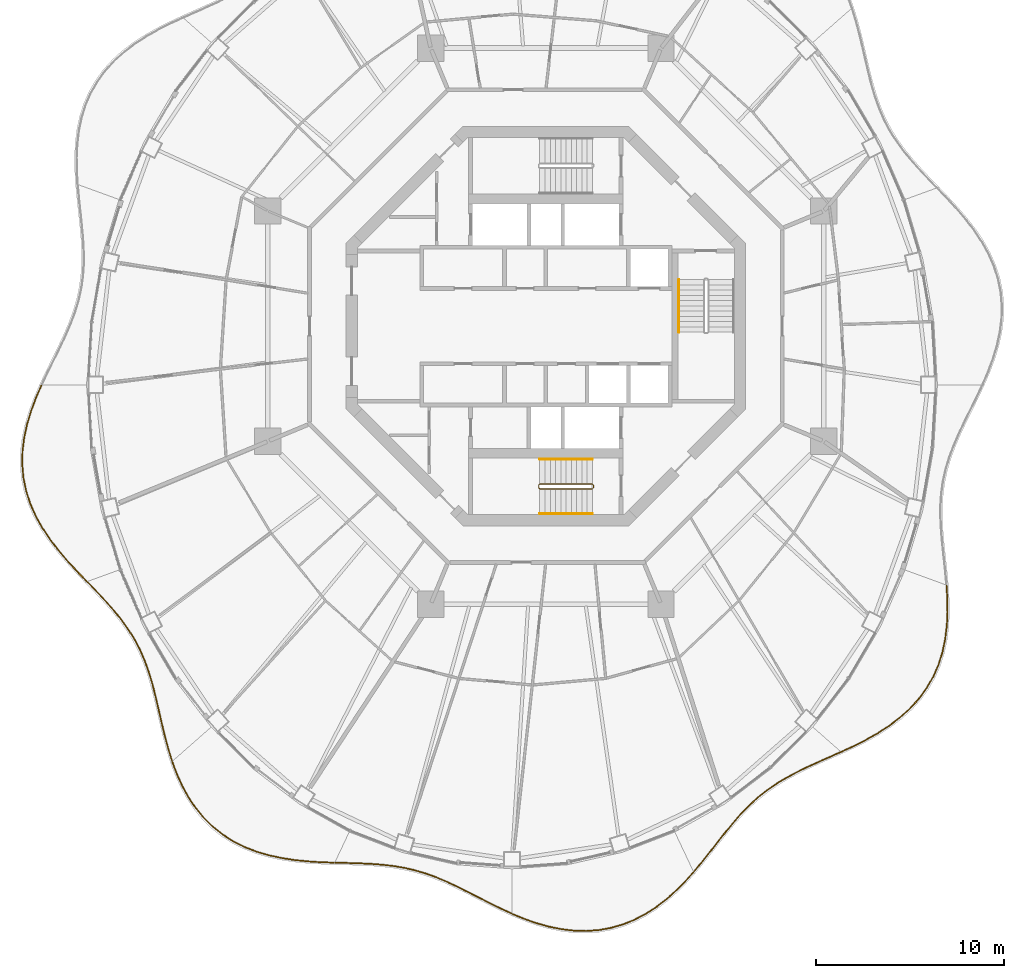
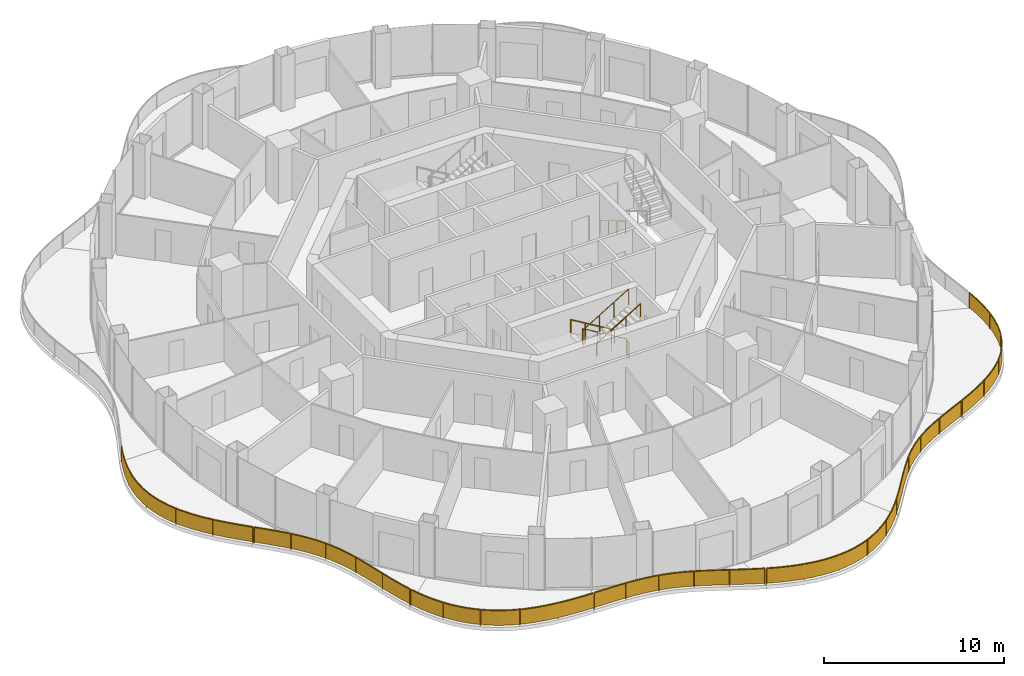
# One storey, part 15 of 17: 11 railings.
"""IFC4 building model written with IfcOpenShell, lengths in metres."""

from ifc_helpers import new_model, si_unit, direction, frame, origin, origin_2d, place, context, subcontext, project, spatial, polyline, rectangle, circle, outline, extrude, material, type_object, element, save


model = new_model("IFC4")

# Units and contexts
model_context = context("Model", 3, precision=1e-05, world=origin(), true_north=direction((0.0, 1.0)))
body_context = subcontext(model_context, "Body", "Model", "MODEL_VIEW")
ifc_project = project(units=[si_unit("LENGTHUNIT", "METRE"), si_unit("AREAUNIT", "SQUARE_METRE"), si_unit("VOLUMEUNIT", "CUBIC_METRE"), si_unit("PLANEANGLEUNIT", "RADIAN"), si_unit("MASSUNIT", "GRAM", prefix="KILO")], contexts=[model_context])

# Site, building, storey
site_placement = place(None, origin())
site = spatial("IfcSite", under=ifc_project, at=site_placement, CompositionType="ELEMENT")
building_placement = place(site_placement, origin())
building = spatial("IfcBuilding", under=site, at=building_placement, Name="Nagisa Residences", CompositionType="ELEMENT")
storey_placement = place(building_placement, frame((0.0, 0.0, 280.699951171875)))
storey = spatial("IfcBuildingStorey", under=building, at=storey_placement, Name="L71", CompositionType="ELEMENT", Elevation=280.699951171875)

# Railings
ifc_material_1 = material(Name="Stainless steel 316", Category="steel")
railing_type_1 = type_object("IfcRailingType", Name="BALCONY GUARD 1100", PredefinedType="BALUSTRADE", material=ifc_material_1)
railing_1_placement = place(storey_placement, frame((-26.82275390625, -3.152587890625, 0.0)))
element("IfcRailing", 1, at=railing_1_placement, inside=storey, type_object=railing_type_1, Name="guard:L71:bal08-0", PredefinedType="BALUSTRADE", context=body_context, shape_type="SweptSolid", body=[
    extrude(outline(polyline([(-0.2578125, -0.65576171875), (0.02294921875, -0.010009765625), (-0.02294921875, 0.010009765625), (-0.30419921875, -0.63720703125), (-0.566650390625, -1.3388671875), (-0.78173828125, -2.05029296875), (-0.938232421875, -2.7685546875), (-1.02734375, -3.489501953125), (-1.043701171875, -4.1943359375), (-0.980224609375, -4.90625), (-0.83740234375, -5.6064453125), (-0.6171875, -6.290771484375), (-0.32470703125, -6.95556640625), (0.030029296875, -7.58447265625), (0.443359375, -8.203125), (0.900634765625, -8.798095703125), (1.3896484375, -9.370361328125), (1.89697265625, -9.92236328125), (2.38037109375, -10.424560546875), (2.41650390625, -10.389892578125), (1.93359375, -9.88818359375), (1.42724609375, -9.337158203125), (0.939697265625, -8.766357421875), (0.48388671875, -8.173828125), (0.072509765625, -7.55810546875), (-0.27978515625, -6.93310546875), (-0.5703125, -6.273193359375), (-0.7890625, -5.59375), (-0.930419921875, -4.89892578125), (-0.993408203125, -4.19287109375), (-0.9775390625, -3.492919921875), (-0.888916015625, -2.77685546875), (-0.7333984375, -2.06298828125), (-0.519287109375, -1.35498046875), (-0.2578125, -0.65576171875)])), frame((0.0, 0.0, 1.050048828125)), (0.0, 0.0, 1.0), 0.050048828125),
    extrude(outline(polyline([(-0.2744140625, -0.649169921875), (0.00634765625, -0.002685546875), (-0.00634765625, 0.002685546875), (-0.28759765625, -0.643798828125), (-0.549560546875, -1.3447265625), (-0.764404296875, -2.054931640625), (-0.92041015625, -2.771484375), (-1.009521484375, -3.49072265625), (-1.025634765625, -4.19384765625), (-0.962158203125, -4.903564453125), (-0.820068359375, -5.601806640625), (-0.600341796875, -6.284423828125), (-0.30859375, -6.947509765625), (0.04541015625, -7.574951171875), (0.4580078125, -8.192626953125), (0.914794921875, -8.78662109375), (1.4033203125, -9.3583984375), (1.91015625, -9.91015625), (2.393310546875, -10.412109375), (2.403564453125, -10.40234375), (1.92041015625, -9.900390625), (1.41357421875, -9.34912109375), (0.925537109375, -8.77783203125), (0.46923828125, -8.184326171875), (0.05712890625, -7.567626953125), (-0.2958984375, -6.941162109375), (-0.587158203125, -6.279541015625), (-0.806396484375, -5.598388671875), (-0.948486328125, -4.901611328125), (-1.011474609375, -4.193359375), (-0.995361328125, -3.49169921875), (-0.90673828125, -2.77392578125), (-0.750732421875, -2.058349609375), (-0.536376953125, -1.34912109375), (-0.2744140625, -0.649169921875)])), frame((0.0, 0.0, 0.06005859375)), (0.0, 0.0, 1.0), 0.989990234375),
    extrude(rectangle(XDim=0.0400390625, YDim=0.0400390625, at=origin_2d()), origin(), (0.0, 0.0, 1.0), 1.050048828125),
    extrude(rectangle(XDim=0.0400390625, YDim=0.0400390625, at=origin_2d()), frame((-0.785400390625, -2.1845703125, 0.0)), (0.0, 0.0, 1.0), 1.050048828125),
    extrude(rectangle(XDim=0.0400390625, YDim=0.0400390625, at=origin_2d()), frame((-0.9921875, -4.489013671875, 0.0)), (0.0, 0.0, 1.0), 1.050048828125),
    extrude(rectangle(XDim=0.0400390625, YDim=0.0400390625, at=origin_2d()), frame((-0.399658203125, -6.722900390625, 0.0)), (0.0, 0.0, 1.0), 1.050048828125),
    extrude(rectangle(XDim=0.0400390625, YDim=0.0400390625, at=origin_2d()), frame((0.84228515625, -8.680908203125, 0.0)), (0.0, 0.0, 1.0), 1.050048828125),
    extrude(rectangle(XDim=0.0400390625, YDim=0.0400390625, at=origin_2d()), frame((2.3984375, -10.4072265625, 0.0)), (0.0, 0.0, 1.0), 1.050048828125),
])
railing_2_placement = place(storey_placement, frame((-24.37060546875, -13.61328125, 0.0)))
element("IfcRailing", 2, at=railing_2_placement, inside=storey, type_object=railing_type_1, Name="guard:L71:bal09-0", PredefinedType="BALUSTRADE", context=body_context, shape_type="SweptSolid", body=[
    extrude(outline(polyline([(0.47802734375, -0.457275390625), (0.01806640625, 0.017333984375), (-0.01806640625, -0.017333984375), (0.44189453125, -0.491943359375), (0.913818359375, -0.993896484375), (1.359375, -1.495849609375), (1.771240234375, -2.0029296875), (2.144775390625, -2.521240234375), (2.470703125, -3.042236328125), (2.76220703125, -3.596923828125), (3.014892578125, -4.17529296875), (3.233154296875, -4.779296875), (3.42333984375, -5.409423828125), (3.585205078125, -6.05224609375), (3.744873046875, -6.729248046875), (3.904052734375, -7.423583984375), (4.073486328125, -8.129150390625), (4.2626953125, -8.838134765625), (4.466552734375, -9.498779296875), (4.514404296875, -9.484130859375), (4.31103515625, -8.824462890625), (4.121826171875, -8.116943359375), (3.952880859375, -7.412353515625), (3.793701171875, -6.718017578125), (3.634033203125, -6.04052734375), (3.4716796875, -5.396240234375), (3.280517578125, -4.763671875), (3.061279296875, -4.15673828125), (2.80712890625, -3.575439453125), (2.51416015625, -3.017333984375), (2.186279296875, -2.493408203125), (1.810791015625, -1.97265625), (1.3974609375, -1.463623046875), (0.950927734375, -0.960205078125), (0.47802734375, -0.457275390625)])), frame((0.0, 0.0, 1.050048828125)), (0.0, 0.0, 1.0), 0.050048828125),
    extrude(outline(polyline([(0.465087890625, -0.4697265625), (0.005126953125, 0.0048828125), (-0.005126953125, -0.0048828125), (0.454833984375, -0.4794921875), (0.92724609375, -0.981689453125), (1.373046875, -1.484375), (1.785400390625, -1.991943359375), (2.15966796875, -2.51123046875), (2.486328125, -3.033203125), (2.7783203125, -3.589111328125), (3.031494140625, -4.168701171875), (3.250244140625, -4.773681640625), (3.440673828125, -5.40478515625), (3.602783203125, -6.048095703125), (3.762451171875, -6.72509765625), (3.921630859375, -7.419677734375), (4.0908203125, -8.124755859375), (4.280029296875, -8.833251953125), (4.48388671875, -9.493408203125), (4.4970703125, -9.489501953125), (4.293701171875, -8.829345703125), (4.1044921875, -8.121337890625), (3.935302734375, -7.416259765625), (3.776123046875, -6.72216796875), (3.616455078125, -6.044677734375), (3.454345703125, -5.40087890625), (3.263427734375, -4.769287109375), (3.044677734375, -4.163330078125), (2.791015625, -3.583251953125), (2.49853515625, -3.0263671875), (2.17138671875, -2.50341796875), (1.796630859375, -1.983642578125), (1.3837890625, -1.47509765625), (0.9375, -0.972412109375), (0.465087890625, -0.4697265625)])), frame((0.0, 0.0, 0.06005859375)), (0.0, 0.0, 1.0), 0.989990234375),
    extrude(rectangle(XDim=0.0400390625, YDim=0.0400390625, at=origin_2d()), origin(), (0.0, 0.0, 1.0), 1.050048828125),
    extrude(rectangle(XDim=0.0400390625, YDim=0.0400390625, at=origin_2d()), frame((1.454833984375, -1.57373046875, 0.0)), (0.0, 0.0, 1.0), 1.050048828125),
    extrude(rectangle(XDim=0.0400390625, YDim=0.0400390625, at=origin_2d()), frame((2.656982421875, -3.343017578125, 0.0)), (0.0, 0.0, 1.0), 1.050048828125),
    extrude(rectangle(XDim=0.0400390625, YDim=0.0400390625, at=origin_2d()), frame((3.42822265625, -5.3388671875, 0.0)), (0.0, 0.0, 1.0), 1.050048828125),
    extrude(rectangle(XDim=0.0400390625, YDim=0.0400390625, at=origin_2d()), frame((3.9296875, -7.423095703125, 0.0)), (0.0, 0.0, 1.0), 1.050048828125),
    extrude(rectangle(XDim=0.0400390625, YDim=0.0400390625, at=origin_2d()), frame((4.490478515625, -9.491455078125, 0.0)), (0.0, 0.0, 1.0), 1.050048828125),
])
railing_3_placement = place(storey_placement, frame((-19.856201171875, -23.177978515625, 0.0)))
element("IfcRailing", 3, at=railing_3_placement, inside=storey, type_object=railing_type_1, Name="guard:L71:bal10-0", PredefinedType="BALUSTRADE", context=body_context, shape_type="SweptSolid", body=[
    extrude(outline(polyline([(0.24951171875, -0.60546875), (0.0234375, 0.008544921875), (-0.0234375, -0.008544921875), (0.203125, -0.62451171875), (0.489990234375, -1.261962890625), (0.82275390625, -1.8701171875), (1.205078125, -2.441650390625), (1.6376953125, -2.9697265625), (2.108642578125, -3.437744140625), (2.6396484375, -3.8623046875), (3.21484375, -4.230224609375), (3.829345703125, -4.54052734375), (4.4765625, -4.793701171875), (5.137939453125, -4.98486328125), (5.827880859375, -5.133544921875), (6.53076171875, -5.23974609375), (7.23779296875, -5.310302734375), (7.942138671875, -5.353759765625), (8.5927734375, -5.375244140625), (8.59423828125, -5.325439453125), (7.944580078125, -5.303955078125), (7.24169921875, -5.260498046875), (6.537109375, -5.18994140625), (5.836669921875, -5.084228515625), (5.150146484375, -4.9365234375), (4.49267578125, -4.746337890625), (3.849853515625, -4.49462890625), (3.23974609375, -4.186767578125), (2.6689453125, -3.82177734375), (2.141845703125, -3.400146484375), (1.6748046875, -2.93603515625), (1.2451171875, -2.411865234375), (0.86572265625, -1.84423828125), (0.534912109375, -1.239501953125), (0.24951171875, -0.60546875)])), frame((0.0, 0.0, 1.050048828125)), (0.0, 0.0, 1.0), 0.050048828125),
    extrude(outline(polyline([(0.23291015625, -0.6123046875), (0.006591796875, 0.00244140625), (-0.006591796875, -0.00244140625), (0.2197265625, -0.61767578125), (0.506103515625, -1.25390625), (0.838134765625, -1.86083984375), (1.219482421875, -2.430908203125), (1.651123046875, -2.95751953125), (2.12060546875, -3.424072265625), (2.650146484375, -3.84765625), (3.223876953125, -4.214599609375), (3.836669921875, -4.52392578125), (4.482421875, -4.776611328125), (5.142333984375, -4.967529296875), (5.8310546875, -5.11572265625), (6.532958984375, -5.2216796875), (7.2392578125, -5.29248046875), (7.943115234375, -5.3359375), (8.59326171875, -5.357421875), (8.59375, -5.34326171875), (7.943603515625, -5.32177734375), (7.240234375, -5.2783203125), (6.534912109375, -5.2080078125), (5.83349609375, -5.10205078125), (5.145751953125, -4.953857421875), (4.48681640625, -4.763427734375), (3.842529296875, -4.51123046875), (3.230712890625, -4.202392578125), (2.658447265625, -3.83642578125), (2.1298828125, -3.413818359375), (1.661376953125, -2.9482421875), (1.230712890625, -2.422607421875), (0.850341796875, -1.853515625), (0.518798828125, -1.24755859375), (0.23291015625, -0.6123046875)])), frame((0.0, 0.0, 0.06005859375)), (0.0, 0.0, 1.0), 0.989990234375),
    extrude(rectangle(XDim=0.0400390625, YDim=0.0400390625, at=origin_2d()), origin(), (0.0, 0.0, 1.0), 1.050048828125),
    extrude(rectangle(XDim=0.0400390625, YDim=0.0400390625, at=origin_2d()), frame((0.927978515625, -1.982177734375, 0.0)), (0.0, 0.0, 1.0), 1.050048828125),
    extrude(rectangle(XDim=0.0400390625, YDim=0.0400390625, at=origin_2d()), frame((2.373779296875, -3.61767578125, 0.0)), (0.0, 0.0, 1.0), 1.050048828125),
    extrude(rectangle(XDim=0.0400390625, YDim=0.0400390625, at=origin_2d()), frame((4.2763671875, -4.6884765625, 0.0)), (0.0, 0.0, 1.0), 1.050048828125),
    extrude(rectangle(XDim=0.0400390625, YDim=0.0400390625, at=origin_2d()), frame((6.406005859375, -5.195556640625, 0.0)), (0.0, 0.0, 1.0), 1.050048828125),
    extrude(rectangle(XDim=0.0400390625, YDim=0.0400390625, at=origin_2d()), frame((8.593505859375, -5.350341796875, 0.0)), (0.0, 0.0, 1.0), 1.050048828125),
])
railing_4_placement = place(storey_placement, frame((-11.18701171875, -28.52880859375, 0.0)))
element("IfcRailing", 4, at=railing_4_placement, inside=storey, type_object=railing_type_1, Name="guard:L71:bal11-0", PredefinedType="BALUSTRADE", context=body_context, shape_type="SweptSolid", body=[
    extrude(outline(polyline([(0.61376953125, 0.0107421875), (0.00048828125, 0.02490234375), (-0.00048828125, -0.02490234375), (0.6123046875, -0.0390625), (1.256103515625, -0.05810546875), (1.88330078125, -0.087158203125), (2.4931640625, -0.13330078125), (3.0869140625, -0.203369140625), (3.64892578125, -0.297119140625), (4.2158203125, -0.427978515625), (4.774169921875, -0.5927734375), (5.328369140625, -0.79150390625), (5.882080078125, -1.021728515625), (6.422607421875, -1.277099609375), (6.98876953125, -1.5576171875), (7.565673828125, -1.8525390625), (8.15673828125, -2.154296875), (8.763427734375, -2.452880859375), (9.341796875, -2.7216796875), (9.36279296875, -2.67626953125), (8.784912109375, -2.407958984375), (8.17919921875, -2.109375), (7.588623046875, -1.80810546875), (7.01123046875, -1.5126953125), (6.444580078125, -1.232177734375), (5.902587890625, -0.975830078125), (5.346435546875, -0.74462890625), (4.789794921875, -0.54541015625), (4.228515625, -0.379638671875), (3.65869140625, -0.247802734375), (3.09375, -0.153564453125), (2.498046875, -0.08349609375), (1.88623046875, -0.037353515625), (1.258056640625, -0.00830078125), (0.61376953125, 0.0107421875)])), frame((0.0, 0.0, 1.050048828125)), (0.0, 0.0, 1.0), 0.050048828125),
    extrude(outline(polyline([(0.61328125, -0.007080078125), (0.000244140625, 0.007080078125), (-0.000244140625, -0.007080078125), (0.61279296875, -0.021240234375), (1.2568359375, -0.040283203125), (1.88427734375, -0.0693359375), (2.494873046875, -0.115478515625), (3.08935546875, -0.185302734375), (3.65234375, -0.279296875), (4.220458984375, -0.41064453125), (4.77978515625, -0.57568359375), (5.3349609375, -0.774658203125), (5.889404296875, -1.005126953125), (6.4306640625, -1.260986328125), (6.996826171875, -1.54150390625), (7.573974609375, -1.836669921875), (8.164794921875, -2.13818359375), (8.771240234375, -2.436767578125), (9.349365234375, -2.705322265625), (9.355224609375, -2.692626953125), (8.777099609375, -2.424072265625), (8.171142578125, -2.12548828125), (7.580322265625, -1.823974609375), (7.003173828125, -1.52880859375), (6.4365234375, -1.248291015625), (5.895263671875, -0.992431640625), (5.33984375, -0.761474609375), (4.7841796875, -0.5625), (4.223876953125, -0.39697265625), (3.6552734375, -0.265625), (3.09130859375, -0.171630859375), (2.496337890625, -0.101318359375), (1.88525390625, -0.05517578125), (1.25732421875, -0.026123046875), (0.61328125, -0.007080078125)])), frame((0.0, 0.0, 0.06005859375)), (0.0, 0.0, 1.0), 0.989990234375),
    extrude(rectangle(XDim=0.0400390625, YDim=0.0400390625, at=origin_2d()), origin(), (0.0, 0.0, 1.0), 1.050048828125),
    extrude(rectangle(XDim=0.0400390625, YDim=0.0400390625, at=origin_2d()), frame((1.97509765625, -0.069091796875, 0.0)), (0.0, 0.0, 1.0), 1.050048828125),
    extrude(rectangle(XDim=0.0400390625, YDim=0.0400390625, at=origin_2d()), frame((3.9306640625, -0.33642578125, 0.0)), (0.0, 0.0, 1.0), 1.050048828125),
    extrude(rectangle(XDim=0.0400390625, YDim=0.0400390625, at=origin_2d()), frame((5.802490234375, -0.96142578125, 0.0)), (0.0, 0.0, 1.0), 1.050048828125),
    extrude(rectangle(XDim=0.0400390625, YDim=0.0400390625, at=origin_2d()), frame((7.5771484375, -1.830322265625, 0.0)), (0.0, 0.0, 1.0), 1.050048828125),
    extrude(rectangle(XDim=0.0400390625, YDim=0.0400390625, at=origin_2d()), frame((9.352294921875, -2.698974609375, 0.0)), (0.0, 0.0, 1.0), 1.050048828125),
])
railing_5_placement = place(storey_placement, frame((-1.764892578125, -31.259765625, 0.0)))
element("IfcRailing", 5, at=railing_5_placement, inside=storey, type_object=railing_type_1, Name="guard:L71:bal12-0", PredefinedType="BALUSTRADE", context=body_context, shape_type="SweptSolid", body=[
    extrude(outline(polyline([(0.602294921875, -0.22412109375), (0.009521484375, 0.023193359375), (-0.009521484375, -0.023193359375), (0.584228515625, -0.27099609375), (1.23681640625, -0.501220703125), (1.901123046875, -0.68896484375), (2.573486328125, -0.826416015625), (3.2470703125, -0.906494140625), (3.9072265625, -0.92626953125), (4.576904296875, -0.876953125), (5.23486328125, -0.75927734375), (5.877197265625, -0.57373046875), (6.49853515625, -0.32275390625), (7.07958984375, -0.01513671875), (7.649658203125, 0.352783203125), (8.19140625, 0.76953125), (8.704833984375, 1.22607421875), (9.190185546875, 1.714111328125), (9.6162109375, 2.19091796875), (9.5791015625, 2.22412109375), (9.153564453125, 1.748291015625), (8.670654296875, 1.2626953125), (8.15966796875, 0.80810546875), (7.620849609375, 0.393798828125), (7.05419921875, 0.0283203125), (6.4775390625, -0.27734375), (5.860595703125, -0.5263671875), (5.2236328125, -0.71044921875), (4.570556640625, -0.8271484375), (3.90625, -0.8759765625), (3.2509765625, -0.856689453125), (2.581298828125, -0.777099609375), (1.912841796875, -0.64013671875), (1.251953125, -0.453369140625), (0.602294921875, -0.22412109375)])), frame((0.0, 0.0, 1.050048828125)), (0.0, 0.0, 1.0), 0.050048828125),
    extrude(outline(polyline([(0.595703125, -0.240966796875), (0.002685546875, 0.00634765625), (-0.002685546875, -0.00634765625), (0.5908203125, -0.254150390625), (1.2421875, -0.48388671875), (1.9052734375, -0.67138671875), (2.576171875, -0.80859375), (3.24853515625, -0.888671875), (3.906982421875, -0.908203125), (4.57470703125, -0.85888671875), (5.23095703125, -0.74169921875), (5.87109375, -0.556640625), (6.490966796875, -0.306396484375), (7.070556640625, 0.00048828125), (7.639404296875, 0.36767578125), (8.179931640625, 0.783447265625), (8.692626953125, 1.2392578125), (9.177001953125, 1.726318359375), (9.602783203125, 2.202880859375), (9.592529296875, 2.212158203125), (9.166748046875, 1.736083984375), (8.682861328125, 1.24951171875), (8.171142578125, 0.794189453125), (7.631103515625, 0.37890625), (7.063232421875, 0.0126953125), (6.485107421875, -0.293701171875), (5.86669921875, -0.54345703125), (5.2275390625, -0.72802734375), (4.57275390625, -0.84521484375), (3.906494140625, -0.89404296875), (3.24951171875, -0.87451171875), (2.57861328125, -0.794921875), (1.90869140625, -0.65771484375), (1.24658203125, -0.470703125), (0.595703125, -0.240966796875)])), frame((0.0, 0.0, 0.06005859375)), (0.0, 0.0, 1.0), 0.989990234375),
    extrude(rectangle(XDim=0.0400390625, YDim=0.0400390625, at=origin_2d()), origin(), (0.0, 0.0, 1.0), 1.050048828125),
    extrude(rectangle(XDim=0.0400390625, YDim=0.0400390625, at=origin_2d()), frame((2.029052734375, -0.689453125, 0.0)), (0.0, 0.0, 1.0), 1.050048828125),
    extrude(rectangle(XDim=0.0400390625, YDim=0.0400390625, at=origin_2d()), frame((4.15869140625, -0.882568359375, 0.0)), (0.0, 0.0, 1.0), 1.050048828125),
    extrude(rectangle(XDim=0.0400390625, YDim=0.0400390625, at=origin_2d()), frame((6.238525390625, -0.40087890625, 0.0)), (0.0, 0.0, 1.0), 1.050048828125),
    extrude(rectangle(XDim=0.0400390625, YDim=0.0400390625, at=origin_2d()), frame((8.068115234375, 0.7060546875, 0.0)), (0.0, 0.0, 1.0), 1.050048828125),
    extrude(rectangle(XDim=0.0400390625, YDim=0.0400390625, at=origin_2d()), frame((9.59765625, 2.20751953125, 0.0)), (0.0, 0.0, 1.0), 1.050048828125),
])
railing_6_placement = place(storey_placement, frame((7.882080078125, -28.993408203125, 0.0)))
element("IfcRailing", 6, at=railing_6_placement, inside=storey, type_object=railing_type_1, Name="guard:L71:bal13-0", PredefinedType="BALUSTRADE", context=body_context, shape_type="SweptSolid", body=[
    extrude(outline(polyline([(0.4013671875, 0.5224609375), (-0.019287109375, 0.015869140625), (0.019287109375, -0.015869140625), (0.43994140625, 0.49072265625), (0.87353515625, 1.0341796875), (1.29345703125, 1.571044921875), (1.70556640625, 2.09228515625), (2.11669921875, 2.59130859375), (2.519775390625, 3.05322265625), (2.94873046875, 3.4931640625), (3.3955078125, 3.90087890625), (3.864013671875, 4.276123046875), (4.3583984375, 4.62109375), (4.867919921875, 4.92919921875), (5.4169921875, 5.2265625), (5.991943359375, 5.5087890625), (6.589599609375, 5.782958984375), (7.205078125, 6.05615234375), (7.791259765625, 6.31591796875), (7.770751953125, 6.36181640625), (7.1845703125, 6.10205078125), (6.569091796875, 5.828369140625), (5.970458984375, 5.55419921875), (5.39404296875, 5.27099609375), (4.843017578125, 4.97265625), (4.3310546875, 4.6630859375), (3.834228515625, 4.316162109375), (3.36279296875, 3.93896484375), (2.9140625, 3.529296875), (2.483154296875, 3.08740234375), (2.07861328125, 2.62353515625), (1.66650390625, 2.12353515625), (1.25390625, 1.601806640625), (0.83447265625, 1.0654296875), (0.4013671875, 0.5224609375)])), frame((0.0, 0.0, 1.050048828125)), (0.0, 0.0, 1.0), 0.050048828125),
    extrude(outline(polyline([(0.415283203125, 0.510986328125), (-0.00537109375, 0.00439453125), (0.00537109375, -0.00439453125), (0.426025390625, 0.502197265625), (0.859375, 1.04541015625), (1.279296875, 1.58203125), (1.69140625, 2.103515625), (2.10302734375, 2.602783203125), (2.506591796875, 3.065673828125), (2.936279296875, 3.506103515625), (3.3837890625, 3.91455078125), (3.853271484375, 4.29052734375), (4.3486328125, 4.63623046875), (4.85888671875, 4.94482421875), (5.40869140625, 5.24267578125), (5.984130859375, 5.525146484375), (6.582275390625, 5.79931640625), (7.19775390625, 6.07275390625), (7.783935546875, 6.33251953125), (7.778076171875, 6.34521484375), (7.19189453125, 6.08544921875), (6.576416015625, 5.81201171875), (5.978271484375, 5.537841796875), (5.40234375, 5.2548828125), (4.85205078125, 4.95703125), (4.3408203125, 4.64794921875), (3.844970703125, 4.3017578125), (3.37451171875, 3.92529296875), (2.926513671875, 3.516357421875), (2.496337890625, 3.074951171875), (2.09228515625, 2.612060546875), (1.6806640625, 2.1123046875), (1.26806640625, 1.5908203125), (0.8486328125, 1.05419921875), (0.415283203125, 0.510986328125)])), frame((0.0, 0.0, 0.06005859375)), (0.0, 0.0, 1.0), 0.989990234375),
    extrude(rectangle(XDim=0.0400390625, YDim=0.0400390625, at=origin_2d()), origin(), (0.0, 0.0, 1.0), 1.050048828125),
    extrude(rectangle(XDim=0.0400390625, YDim=0.0400390625, at=origin_2d()), frame((1.2802734375, 1.5947265625, 0.0)), (0.0, 0.0, 1.0), 1.050048828125),
    extrude(rectangle(XDim=0.0400390625, YDim=0.0400390625, at=origin_2d()), frame((2.591796875, 3.162841796875, 0.0)), (0.0, 0.0, 1.0), 1.050048828125),
    extrude(rectangle(XDim=0.0400390625, YDim=0.0400390625, at=origin_2d()), frame((4.136474609375, 4.496826171875, 0.0)), (0.0, 0.0, 1.0), 1.050048828125),
    extrude(rectangle(XDim=0.0400390625, YDim=0.0400390625, at=origin_2d()), frame((5.916015625, 5.49951171875, 0.0)), (0.0, 0.0, 1.0), 1.050048828125),
    extrude(rectangle(XDim=0.0400390625, YDim=0.0400390625, at=origin_2d()), frame((7.781005859375, 6.3388671875, 0.0)), (0.0, 0.0, 1.0), 1.050048828125),
])
railing_7_placement = place(storey_placement, frame((15.733154296875, -22.62451171875, 0.0)))
element("IfcRailing", 7, at=railing_7_placement, inside=storey, type_object=railing_type_1, Name="guard:L71:bal14-0", PredefinedType="BALUSTRADE", context=body_context, shape_type="SweptSolid", body=[
    extrude(outline(polyline([(0.6103515625, 0.310302734375), (-0.010498046875, 0.022705078125), (0.010498046875, -0.022705078125), (0.63232421875, 0.265380859375), (1.288818359375, 0.598388671875), (1.928955078125, 0.961669921875), (2.54296875, 1.361083984375), (3.119140625, 1.79931640625), (3.642578125, 2.269775390625), (4.119384765625, 2.794921875), (4.53466796875, 3.362060546875), (4.884765625, 3.968505859375), (5.16650390625, 4.6103515625), (5.373779296875, 5.269287109375), (5.522705078125, 5.965576171875), (5.611083984375, 6.6796875), (5.646484375, 7.40478515625), (5.63720703125, 8.135009765625), (5.594482421875, 8.818359375), (5.544677734375, 8.8154296875), (5.58740234375, 8.133056640625), (5.59619140625, 7.40576171875), (5.561279296875, 6.68408203125), (5.473388671875, 5.973876953125), (5.325439453125, 5.281982421875), (5.11962890625, 4.6279296875), (4.83984375, 3.990966796875), (4.49267578125, 3.389404296875), (4.080322265625, 2.82666015625), (3.607421875, 2.305419921875), (3.08740234375, 1.837890625), (2.51416015625, 1.402099609375), (1.903076171875, 1.004638671875), (1.264892578125, 0.642333984375), (0.6103515625, 0.310302734375)])), frame((0.0, 0.0, 1.050048828125)), (0.0, 0.0, 1.0), 0.050048828125),
    extrude(outline(polyline([(0.6181640625, 0.294189453125), (-0.0029296875, 0.00634765625), (0.0029296875, -0.00634765625), (0.62451171875, 0.281494140625), (1.2802734375, 0.6142578125), (1.919677734375, 0.97705078125), (2.53271484375, 1.3759765625), (3.107666015625, 1.813232421875), (3.6298828125, 2.28271484375), (4.105224609375, 2.806396484375), (4.51953125, 3.371826171875), (4.86865234375, 3.9765625), (5.149658203125, 4.61669921875), (5.3564453125, 5.27392578125), (5.5048828125, 5.968505859375), (5.59326171875, 6.681396484375), (5.62841796875, 7.405029296875), (5.619384765625, 8.13427734375), (5.57666015625, 8.8173828125), (5.5625, 8.81640625), (5.605224609375, 8.1337890625), (5.6142578125, 7.405517578125), (5.5791015625, 6.682373046875), (5.4912109375, 5.970947265625), (5.3427734375, 5.27734375), (5.136474609375, 4.62158203125), (4.85595703125, 3.98291015625), (4.5078125, 3.379638671875), (4.094482421875, 2.815185546875), (3.6201171875, 2.29248046875), (3.098876953125, 1.823974609375), (2.5244140625, 1.38720703125), (1.912353515625, 0.9892578125), (1.2734375, 0.62646484375), (0.6181640625, 0.294189453125)])), frame((0.0, 0.0, 0.06005859375)), (0.0, 0.0, 1.0), 0.989990234375),
    extrude(rectangle(XDim=0.0400390625, YDim=0.0400390625, at=origin_2d()), origin(), (0.0, 0.0, 1.0), 1.050048828125),
    extrude(rectangle(XDim=0.0400390625, YDim=0.0400390625, at=origin_2d()), frame((2.01513671875, 1.047607421875, 0.0)), (0.0, 0.0, 1.0), 1.050048828125),
    extrude(rectangle(XDim=0.0400390625, YDim=0.0400390625, at=origin_2d()), frame((3.7841796875, 2.462890625, 0.0)), (0.0, 0.0, 1.0), 1.050048828125),
    extrude(rectangle(XDim=0.0400390625, YDim=0.0400390625, at=origin_2d()), frame((5.025390625, 4.350830078125, 0.0)), (0.0, 0.0, 1.0), 1.050048828125),
    extrude(rectangle(XDim=0.0400390625, YDim=0.0400390625, at=origin_2d()), frame((5.569580078125, 6.54736328125, 0.0)), (0.0, 0.0, 1.0), 1.050048828125),
    extrude(rectangle(XDim=0.0400390625, YDim=0.0400390625, at=origin_2d()), frame((5.569580078125, 8.81689453125, 0.0)), (0.0, 0.0, 1.0), 1.050048828125),
])
ifc_material_2 = material(Name="Stainless steel", Category="steel")
railing_type_2 = type_object("IfcRailingType", Name="Stair guard 1100", PredefinedType="GUARDRAIL", material=ifc_material_2)
railing_8_placement = place(storey_placement, frame((2.52490234375, -8.599609375, 0.0)))
element("IfcRailing", 8, at=railing_8_placement, inside=storey, type_object=railing_type_2, Name="L71 ST-S stair guard 1", PredefinedType="GUARDRAIL", context=body_context, shape_type="SweptSolid", body=[
    extrude(circle(Radius=0.02392578125, at=origin_2d()), frame((0.0, 0.0, 1.076171875), z_axis=(0.0, 1.0, 0.0), x_axis=(-1.0, 0.0, 0.0)), (0.0, 0.0, 1.0), 0.14990234375),
    extrude(circle(Radius=0.02392578125, at=origin_2d()), frame((0.0, 0.14990234375, 1.076171875), z_axis=(-0.273006030465, 0.27434429532, 0.922064485248), x_axis=(-0.708833529934, -0.705375805398, 0.0)), (0.0, 0.0, 1.0), 0.182373046875),
    extrude(circle(Radius=0.02392578125, at=origin_2d()), frame((-0.0498046875, 0.199951171875, 1.244140625), z_axis=(-0.857242210791, 0.0, 0.514913383045), x_axis=(0.0, -1.0, 0.0)), (0.0, 0.0, 1.0), 3.266357421875),
    extrude(circle(Radius=0.02392578125, at=origin_2d()), frame((-2.849853515625, 0.199951171875, 2.92626953125), z_axis=(-0.707106781187, -0.707106781187, 0.0), x_axis=(0.707106781187, -0.707106781187, 0.0)), (0.0, 0.0, 1.0), 0.07080078125),
    extrude(circle(Radius=0.02392578125, at=origin_2d()), frame((-2.89990234375, 0.14990234375, 2.92626953125), z_axis=(0.0, -1.0, 0.0), x_axis=(1.0, 0.0, 0.0)), (0.0, 0.0, 1.0), 0.14990234375),
    extrude(circle(Radius=0.02392578125, at=origin_2d()), frame((-2.89990234375, 0.0, 2.92626953125), z_axis=(0.274243871929, -0.274243871929, 0.92172696468), x_axis=(0.707106781187, 0.707106781187, 0.0)), (0.0, 0.0, 1.0), 0.1826171875),
    extrude(circle(Radius=0.02392578125, at=origin_2d()), frame((-2.849853515625, -0.050048828125, 3.09423828125), z_axis=(0.857275202839, 0.0, 0.514858452973), x_axis=(0.0, 1.0, 0.0)), (0.0, 0.0, 1.0), 3.26611328125),
    extrude(circle(Radius=0.02099609375, at=origin_2d()), origin(), (0.0, 0.0, 1.0), 1.052001953125),
    extrude(circle(Radius=0.02099609375, at=origin_2d()), frame((0.0, 0.14990234375, 0.0)), (0.0, 0.0, 1.0), 1.052001953125),
    extrude(circle(Radius=0.02099609375, at=origin_2d()), frame((-0.0498046875, 0.199951171875, 0.168212890625)), (0.0, 0.0, 1.0), 1.052001953125),
    extrude(circle(Radius=0.02099609375, at=origin_2d()), frame((-0.983154296875, 0.199951171875, 0.728759765625)), (0.0, 0.0, 1.0), 1.052001953125),
    extrude(circle(Radius=0.02099609375, at=origin_2d()), frame((-1.91650390625, 0.199951171875, 1.28955078125)), (0.0, 0.0, 1.0), 1.052001953125),
    extrude(circle(Radius=0.02099609375, at=origin_2d()), frame((-2.849853515625, 0.199951171875, 1.85009765625)), (0.0, 0.0, 1.0), 1.052001953125),
    extrude(circle(Radius=0.02099609375, at=origin_2d()), frame((-2.89990234375, 0.14990234375, 1.85009765625)), (0.0, 0.0, 1.0), 1.052001953125),
    extrude(circle(Radius=0.02099609375, at=origin_2d()), frame((-2.89990234375, 0.0, 1.85009765625)), (0.0, 0.0, 1.0), 1.052001953125),
    extrude(circle(Radius=0.02099609375, at=origin_2d()), frame((-2.849853515625, -0.050048828125, 2.018310546875)), (0.0, 0.0, 1.0), 1.052001953125),
    extrude(circle(Radius=0.02099609375, at=origin_2d()), frame((-1.91650390625, -0.050048828125, 2.578857421875)), (0.0, 0.0, 1.0), 1.052001953125),
    extrude(circle(Radius=0.02099609375, at=origin_2d()), frame((-0.983154296875, -0.050048828125, 3.139404296875)), (0.0, 0.0, 1.0), 1.052001953125),
    extrude(circle(Radius=0.02099609375, at=origin_2d()), frame((-0.0498046875, -0.050048828125, 3.699951171875)), (0.0, 0.0, 1.0), 1.052001953125),
])
ifc_material_3 = material(Name="Stainless steel", Category="steel")
railing_type_3 = type_object("IfcRailingType", Name="Stair handrail 900", PredefinedType="HANDRAIL", material=ifc_material_3)
railing_9_placement = place(storey_placement, frame((7.07470703125, 2.47509765625, 0.168212890625)))
element("IfcRailing", 9, at=railing_9_placement, inside=storey, type_object=railing_type_3, Name="L71 ST-E stair handrail 1", PredefinedType="HANDRAIL", context=body_context, shape_type="SweptSolid", body=[
    extrude(circle(Radius=0.02392578125, at=origin_2d()), frame((0.0, 0.0, 0.8759765625), z_axis=(0.0, -0.857242210791, 0.514913383045), x_axis=(1.0, 0.0, 0.0)), (0.0, 0.0, 1.0), 3.266357421875),
    extrude(circle(Radius=0.02099609375, at=origin_2d()), origin(), (0.0, 0.0, 1.0), 0.851806640625),
    extrude(circle(Radius=0.02099609375, at=origin_2d()), frame((0.0, -0.933349609375, 0.560546875)), (0.0, 0.0, 1.0), 0.851806640625),
    extrude(circle(Radius=0.02099609375, at=origin_2d()), frame((0.0, -1.86669921875, 1.121337890625)), (0.0, 0.0, 1.0), 0.851806640625),
    extrude(circle(Radius=0.02099609375, at=origin_2d()), frame((0.0, -2.800048828125, 1.681884765625)), (0.0, 0.0, 1.0), 0.851806640625),
])
railing_10_placement = place(storey_placement, frame((2.47509765625, -7.07470703125, 0.168212890625)))
element("IfcRailing", 10, at=railing_10_placement, inside=storey, type_object=railing_type_3, Name="L71 ST-S stair handrail 1", PredefinedType="HANDRAIL", context=body_context, shape_type="SweptSolid", body=[
    extrude(circle(Radius=0.02392578125, at=origin_2d()), frame((0.0, 0.0, 0.8759765625), z_axis=(-0.857242210791, 0.0, 0.514913383045), x_axis=(0.0, -1.0, 0.0)), (0.0, 0.0, 1.0), 3.266357421875),
    extrude(circle(Radius=0.02099609375, at=origin_2d()), origin(), (0.0, 0.0, 1.0), 0.851806640625),
    extrude(circle(Radius=0.02099609375, at=origin_2d()), frame((-0.933349609375, 0.0, 0.560546875)), (0.0, 0.0, 1.0), 0.851806640625),
    extrude(circle(Radius=0.02099609375, at=origin_2d()), frame((-1.86669921875, 0.0, 1.121337890625)), (0.0, 0.0, 1.0), 0.851806640625),
    extrude(circle(Radius=0.02099609375, at=origin_2d()), frame((-2.800048828125, 0.0, 1.681884765625)), (0.0, 0.0, 1.0), 0.851806640625),
])
railing_11_placement = place(storey_placement, frame((-0.324951171875, -9.974609375, 2.018310546875)))
element("IfcRailing", 11, at=railing_11_placement, inside=storey, type_object=railing_type_3, Name="L71 ST-S stair handrail 2", PredefinedType="HANDRAIL", context=body_context, shape_type="SweptSolid", body=[
    extrude(circle(Radius=0.02392578125, at=origin_2d()), frame((0.0, 0.0, 0.8759765625), z_axis=(0.857275202839, 0.0, 0.514858452973), x_axis=(0.0, 1.0, 0.0)), (0.0, 0.0, 1.0), 3.26611328125),
    extrude(circle(Radius=0.02099609375, at=origin_2d()), origin(), (0.0, 0.0, 1.0), 0.851806640625),
    extrude(circle(Radius=0.02099609375, at=origin_2d()), frame((0.933349609375, 0.0, 0.560546875)), (0.0, 0.0, 1.0), 0.851806640625),
    extrude(circle(Radius=0.02099609375, at=origin_2d()), frame((1.86669921875, 0.0, 1.12109375)), (0.0, 0.0, 1.0), 0.851806640625),
    extrude(circle(Radius=0.02099609375, at=origin_2d()), frame((2.800048828125, 0.0, 1.681640625)), (0.0, 0.0, 1.0), 0.851806640625),
])

save(model, "model.ifc")
